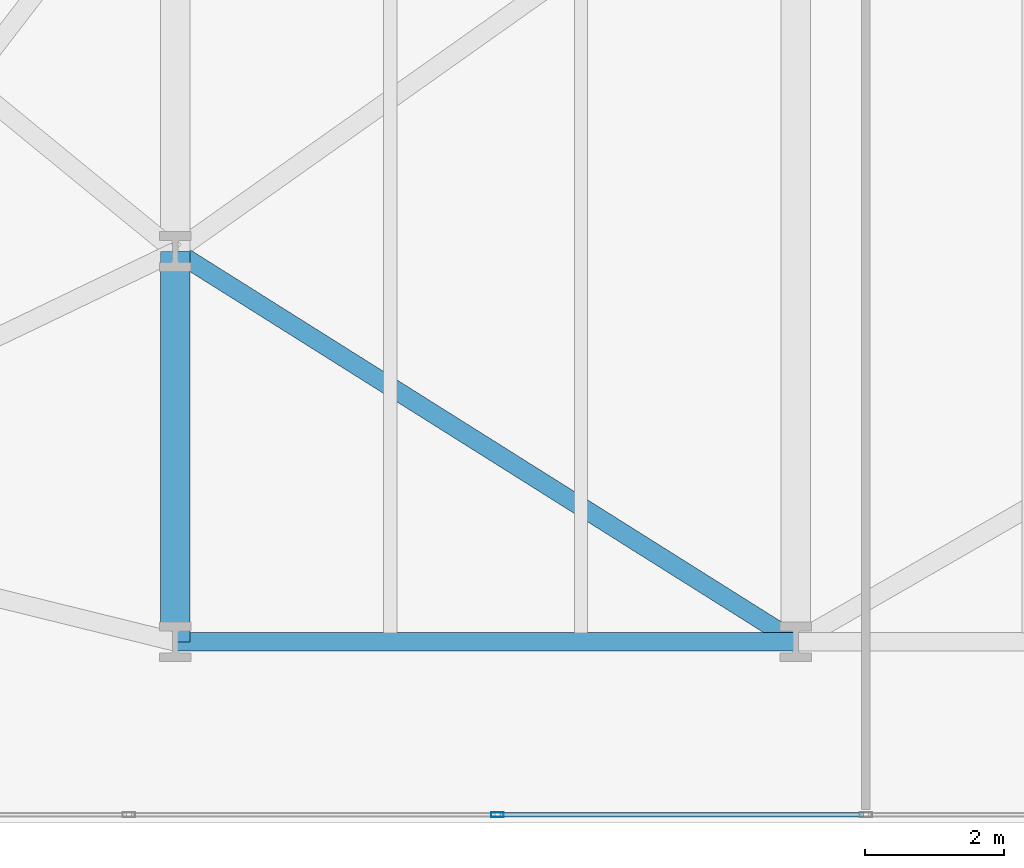
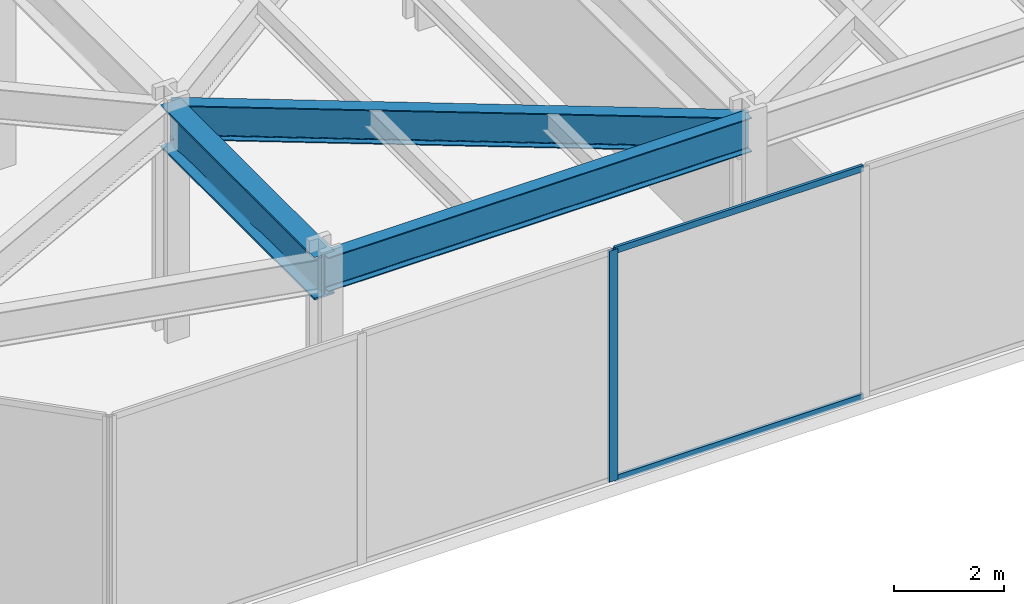
# One storey, part 3 of 29: 3 beams, 3 members, 1 element without a shape of its own.
"""IFC4 building model written with IfcOpenShell, lengths in metres."""

import ifcopenshell
import ifcopenshell.guid

model = None  # the IFC model being written
_history = None  # IfcOwnerHistory: only IFC2X3 demands one
_inside = {}  # id of a spatial element -> (the spatial element, [elements in it])
_under = {}  # id of a project, library or spatial element -> (it, [spatial elements below it])
_declared = {}  # id of a project -> (the project, [libraries it declares])
_typed = {}  # id of a type object -> (the type object, [elements of that type])
_made_of = {}  # id of a material, layer set ... -> (it, [elements and type objects made of it])


def new_model(schema):
    """Start an empty IFC model of exactly this schema.

    Asked for "IFC4X3", IfcOpenShell would pick the latest addendum, in which some entities
    have other attributes; the version numbers below select the first issue.
    IFC2X3 requires an IfcOwnerHistory on every rooted entity: one is made here for all.
    """
    global model, _history
    if schema == "IFC4X3":
        model = ifcopenshell.file(schema_version=(4, 3, 0, 0))
    else:
        model = ifcopenshell.file(schema=schema)
    _inside.clear()
    _under.clear()
    _declared.clear()
    _typed.clear()
    _made_of.clear()
    _history = None
    if model.schema == "IFC2X3":
        org = make("IfcOrganization", Name="unknown")
        user = make(
            "IfcPersonAndOrganization",
            ThePerson=make("IfcPerson", FamilyName="unknown"),
            TheOrganization=org,
        )
        app = make(
            "IfcApplication",
            ApplicationDeveloper=org,
            Version="unknown",
            ApplicationFullName="unknown",
            ApplicationIdentifier="unknown",
        )
        _history = make(
            "IfcOwnerHistory",
            OwningUser=user,
            OwningApplication=app,
            ChangeAction="ADDED",
            CreationDate=0,
        )
    return model


def make(cls, **values):
    """One entity of the class cls with the attributes given. An attribute that is None is left unset."""
    return model.create_entity(
        cls, **{name: value for name, value in values.items() if value is not None}
    )


def rooted(cls, **values):
    """An entity with a GlobalId (a new one), such as an element, a storey or a relation."""
    return make(cls, GlobalId=ifcopenshell.guid.new(), OwnerHistory=_history, **values)


def si_unit(unit_type, name, prefix=None):
    """IfcSIUnit, for example si_unit("LENGTHUNIT", "METRE", prefix="MILLI")."""
    return make("IfcSIUnit", UnitType=unit_type, Prefix=prefix, Name=name)


def assignment(units):
    """IfcUnitAssignment: the units of a project."""
    return None if units is None else make("IfcUnitAssignment", Units=units)


def point(xyz):
    """IfcCartesianPoint."""
    return None if xyz is None else make("IfcCartesianPoint", Coordinates=xyz)


def direction(xyz):
    """IfcDirection."""
    return None if xyz is None else make("IfcDirection", DirectionRatios=xyz)


def frame(location, z_axis=None, x_axis=None):
    """IfcAxis2Placement3D, a coordinate frame: its origin and axes. An axis left out is left unset."""
    return make(
        "IfcAxis2Placement3D",
        Location=point(location),
        Axis=direction(z_axis),
        RefDirection=direction(x_axis),
    )


def frame_2d(location, x_axis=None):
    """IfcAxis2Placement2D, a coordinate frame in the plane: its origin and x axis."""
    return make(
        "IfcAxis2Placement2D", Location=point(location), RefDirection=direction(x_axis)
    )


def origin():
    """The frame at (0, 0, 0) with its axes left unset."""
    return frame((0.0, 0.0, 0.0))


def origin_2d():
    """The frame at (0, 0) in the plane with its x axis left unset."""
    return frame_2d((0.0, 0.0))


def place(relative_to, where):
    """IfcLocalPlacement: puts the frame where relative to a parent placement (None: the world)."""
    return make(
        "IfcLocalPlacement", PlacementRelTo=relative_to, RelativePlacement=where
    )


def context(
    kind, dimensions, precision=None, world=None, true_north=None, identifier=None
):
    """IfcGeometricRepresentationContext, for example the 3D "Model" context."""
    return make(
        "IfcGeometricRepresentationContext",
        ContextIdentifier=identifier,
        ContextType=kind,
        CoordinateSpaceDimension=dimensions,
        Precision=precision,
        WorldCoordinateSystem=world,
        TrueNorth=true_north,
    )


def subcontext(parent, identifier, kind, view, scale=None):
    """IfcGeometricRepresentationSubContext, for example "Body" below "Model"."""
    return make(
        "IfcGeometricRepresentationSubContext",
        ContextIdentifier=identifier,
        ContextType=kind,
        ParentContext=parent,
        TargetScale=scale,
        TargetView=view,
    )


def project(units=None, contexts=None):
    """IfcProject with its units and contexts."""
    return rooted(
        "IfcProject",
        Name="project",
        RepresentationContexts=contexts,
        UnitsInContext=assignment(units),
    )


def spatial(cls, under=None, at=None, **own):
    """A site, building, storey or space (cls), placed at a placement, below another one or the project."""
    s = rooted(cls, ObjectPlacement=at, **own)
    if under is not None:
        _under.setdefault(under.id(), (under, []))[1].append(s)
    return s


def profile(cls, at=None, kind="AREA", **sizes):
    """A parametric profile (cls). Its sizes go by their IFC names, for example OverallWidth=200.0."""
    return make(cls, ProfileType=kind, Position=at, **sizes)


def hollow_rectangle(**sizes):
    """IfcRectangleHollowProfileDef."""
    return profile("IfcRectangleHollowProfileDef", **sizes)


def i_section(**sizes):
    """IfcIShapeProfileDef."""
    return profile("IfcIShapeProfileDef", **sizes)


def extrude(swept, where, along, depth):
    """IfcExtrudedAreaSolid: the profile swept, set in the frame where, extruded along a direction by depth."""
    return make(
        "IfcExtrudedAreaSolid",
        SweptArea=swept,
        Position=where,
        ExtrudedDirection=direction(along),
        Depth=depth,
    )


def shape(context_of_items, identifier, shape_type, items):
    """IfcShapeRepresentation: the items that make up one representation, for example the "Body"."""
    return make(
        "IfcShapeRepresentation",
        ContextOfItems=context_of_items,
        RepresentationIdentifier=identifier,
        RepresentationType=shape_type,
        Items=items,
    )


def material(Name=None, Category=None):
    """IfcMaterial."""
    return make("IfcMaterial", Name=Name, Category=Category)


def layer(
    of_material, thickness, ventilated=None, Name=None, Category=None, Priority=None
):
    """IfcMaterialLayer: one layer of a wall or slab, of a material (None: an air gap)."""
    return make(
        "IfcMaterialLayer",
        Material=of_material,
        LayerThickness=thickness,
        IsVentilated=ventilated,
        Name=Name,
        Category=Category,
        Priority=Priority,
    )


def layer_set(layers, Name=None):
    """IfcMaterialLayerSet."""
    return make("IfcMaterialLayerSet", MaterialLayers=layers, LayerSetName=Name)


def material_profile(
    of_material, cross_section, Name=None, Category=None, Priority=None
):
    """IfcMaterialProfile: a cross section and its material."""
    return make(
        "IfcMaterialProfile",
        Name=Name,
        Material=of_material,
        Profile=cross_section,
        Priority=Priority,
        Category=Category,
    )


def profile_set(profiles, Name=None, composite=None):
    """IfcMaterialProfileSet."""
    return make(
        "IfcMaterialProfileSet",
        Name=Name,
        MaterialProfiles=profiles,
        CompositeProfile=composite,
    )


def made_of(thing, what):
    """Note that an element or type object is made of a material, layer set ...; save() writes the relation."""
    if what is not None:
        _made_of.setdefault(what.id(), (what, []))[1].append(thing)
    return thing


def type_object(cls, material=None, **own):
    """A type object (cls), such as IfcWallType, which elements share."""
    return made_of(rooted(cls, **own), material)


def element(
    cls,
    number,
    at=None,
    inside=None,
    cuts=None,
    type_object=None,
    material=None,
    context=None,
    identifier="Body",
    shape_type=None,
    held_by="IfcProductDefinitionShape",
    body=None,
    shapes=None,
    **own,
):
    """One element of the class cls, such as IfcWall. Its Tag is "e" and its number.

    at: its placement. inside: the storey or other place that contains it. cuts: it is an
    opening in that element (IfcRelVoidsElement). A single representation is given by context,
    identifier, shape_type and body (its items); several are given by shapes. held_by: the class
    of the entity that holds the representations. save() writes the other relations.
    """
    e = rooted(cls, Tag="e%d" % number, ObjectPlacement=at, **own)
    if body is not None:
        shapes = [shape(context, identifier, shape_type, body)]
    if shapes is not None:
        e.Representation = make(held_by, Representations=shapes)
    if inside is not None:
        _inside.setdefault(inside.id(), (inside, []))[1].append(e)
    if cuts is not None:
        rooted(
            "IfcRelVoidsElement", RelatingBuildingElement=cuts, RelatedOpeningElement=e
        )
    if type_object is not None:
        _typed.setdefault(type_object.id(), (type_object, []))[1].append(e)
    return made_of(e, material)


def aggregate(whole, parts):
    """IfcRelAggregates: a whole, such as a stair, and the parts it consists of."""
    return rooted("IfcRelAggregates", RelatingObject=whole, RelatedObjects=parts)


def save(model, path):
    """Write the relations noted so far, then the file.

    IfcRelAggregates (storeys below a building ...), IfcRelContainedInSpatialStructure (elements
    in a storey), IfcRelDefinesByType, IfcRelAssociatesMaterial and IfcRelDeclares: one each for
    every whole, place, type object, material and project.
    """
    for whole, parts in _under.values():
        aggregate(whole, parts)
    for where, things in _inside.values():
        rooted(
            "IfcRelContainedInSpatialStructure",
            RelatedElements=things,
            RelatingStructure=where,
        )
    for kind, things in _typed.values():
        rooted("IfcRelDefinesByType", RelatedObjects=things, RelatingType=kind)
    for what, things in _made_of.values():
        rooted("IfcRelAssociatesMaterial", RelatedObjects=things, RelatingMaterial=what)
    for by, libraries in _declared.values():
        rooted("IfcRelDeclares", RelatingContext=by, RelatedDefinitions=libraries)
    model.write(path)


model = new_model("IFC4")

# Units and contexts
model_context = context("Model", 3, precision=1e-05, world=origin(), true_north=direction((0.0, 1.0)))
body_context = subcontext(model_context, "Body", "Model", "MODEL_VIEW")
ifc_project = project(units=[si_unit("LENGTHUNIT", "METRE"), si_unit("AREAUNIT", "SQUARE_METRE"), si_unit("VOLUMEUNIT", "CUBIC_METRE"), si_unit("PLANEANGLEUNIT", "RADIAN"), si_unit("MASSUNIT", "GRAM", prefix="KILO")], contexts=[model_context])

# Site, building, storey
site_placement = place(None, origin())
site = spatial("IfcSite", under=ifc_project, at=site_placement, CompositionType="ELEMENT")
building_placement = place(site_placement, origin())
building = spatial("IfcBuilding", under=site, at=building_placement, Name="Kravanh Interchange Tower", CompositionType="ELEMENT")
storey_placement = place(building_placement, frame((0.0, 0.0, 5.39990234375)))
storey = spatial("IfcBuildingStorey", under=building, at=storey_placement, Name="L01", CompositionType="ELEMENT", Elevation=5.39990234375)

# Curtain wall, members
ifc_material_1 = material(Name="Anodised Bronze Aluminium", Category="aluminium")
ifc_layer = layer(ifc_material_1, 0.179931640625)
ifc_layer_set = layer_set([ifc_layer], Name="Unitised Curtain Wall System CW-POD Podium Concourse")
curtain_wall_type = type_object("IfcCurtainWallType", Name="Unitised Curtain Wall System CW-POD Podium Concourse", PredefinedType="NOTDEFINED", material=ifc_layer_set)
curtain_wall_placement = place(storey_placement, origin())
curtain_wall = element("IfcCurtainWall", 1, at=curtain_wall_placement, inside=storey, type_object=curtain_wall_type, Name="L01 Unitised Curtain Wall CW-L01-04", PredefinedType="NOTDEFINED")
ifc_material_2 = material(Name="Anodised Bronze Aluminium", Category="aluminium")
ifc_material_profile_1 = material_profile(ifc_material_2, hollow_rectangle(XDim=0.070068359375, YDim=0.179931640625, WallThickness=0.00390625, at=origin_2d()), Name="ALU70X180X4")
ifc_profile_set_1 = profile_set([ifc_material_profile_1], Name="Anodised Bronze Aluminium")
member_type_1 = type_object("IfcMemberType", Name="Curtain Wall Mullion ALU70X180X4 Bronze", PredefinedType="MULLION", material=ifc_profile_set_1)
member_1_placement = place(storey_placement, frame((13.218994140625, 0.1201171875, 0.0), z_axis=(0.0, 0.0, 1.0), x_axis=(0.0, -1.0, 0.0)))
member_1 = element("IfcMember", 2, at=member_1_placement, type_object=member_type_1, Name="CW-POD mullion 12", PredefinedType="MULLION", context=body_context, shape_type="SweptSolid", body=[
    extrude(hollow_rectangle(XDim=0.070068359375, YDim=0.179931640625, WallThickness=0.00390625, at=origin_2d()), origin(), (0.0, 0.0, 1.0), 5.130126953125),
])
ifc_material_3 = material(Name="Anodised Bronze Aluminium", Category="aluminium")
ifc_material_profile_2 = material_profile(ifc_material_3, hollow_rectangle(XDim=0.06005859375, YDim=0.139892578125, WallThickness=0.00390625, at=origin_2d()), Name="ALU60X140X4")
ifc_profile_set_2 = profile_set([ifc_material_profile_2], Name="Anodised Bronze Aluminium")
member_type_2 = type_object("IfcMemberType", Name="Curtain Wall Transom ALU60X140X4 Bronze", PredefinedType="USERDEFINED", material=ifc_profile_set_2)
member_2_placement = place(storey_placement, frame((18.46875, 0.1201171875, 0.030029296875), z_axis=(-1.0, 0.0, 0.0), x_axis=(0.0, -1.0, 0.0)))
member_2 = element("IfcMember", 3, at=member_2_placement, type_object=member_type_2, Name="CW-POD transom 11.1", ObjectType="TRANSOM", PredefinedType="USERDEFINED", context=body_context, shape_type="SweptSolid", body=[
    extrude(hollow_rectangle(XDim=0.06005859375, YDim=0.139892578125, WallThickness=0.00390625, at=origin_2d()), origin(), (0.0, 0.0, 1.0), 5.21484375),
])
member_3_placement = place(storey_placement, frame((18.46875, 0.1201171875, 5.10009765625), z_axis=(-1.0, 0.0, 0.0), x_axis=(0.0, -1.0, 0.0)))
member_3 = element("IfcMember", 4, at=member_3_placement, type_object=member_type_2, Name="CW-POD transom 11.2", ObjectType="TRANSOM", PredefinedType="USERDEFINED", context=body_context, shape_type="SweptSolid", body=[
    extrude(hollow_rectangle(XDim=0.06005859375, YDim=0.139892578125, WallThickness=0.00390625, at=origin_2d()), origin(), (0.0, 0.0, 1.0), 5.21484375),
])
aggregate(curtain_wall, [member_1, member_2, member_3])

# Beams
ifc_material_4 = material(Name="Structural Steel S450", Category="steel")
ifc_material_profile_3 = material_profile(ifc_material_4, i_section(OverallWidth=0.423095703125, OverallDepth=0.947998046875, WebThickness=0.02392578125, FlangeThickness=0.042724609375, FilletRadius=0.028076171875, at=origin_2d()), Name="W36X302")
ifc_profile_set_3 = profile_set([ifc_material_profile_3], Name="Structural Steel S450")
beam_type_1 = type_object("IfcBeamType", Name="Floor Beam W36X302 Structural Steel S450", PredefinedType="BEAM", material=ifc_profile_set_3)
beam_1_placement = place(storey_placement, frame((8.60009765625, 2.60009765625, 4.656005859375), z_axis=(0.0, 1.0, 0.0), x_axis=(-1.0, 0.0, 0.0)))
element("IfcBeam", 5, at=beam_1_placement, inside=storey, type_object=beam_type_1, Name="L01 Primary Floor Girder 1", PredefinedType="BEAM", context=body_context, shape_type="SweptSolid", body=[
    extrude(i_section(OverallWidth=0.423095703125, OverallDepth=0.947998046875, WebThickness=0.02392578125, FlangeThickness=0.042724609375, FilletRadius=0.028076171875, at=origin_2d()), origin(), (0.0, 0.0, 1.0), 5.599853515625),
])
ifc_material_5 = material(Name="Structural Steel S355", Category="steel")
ifc_material_profile_4 = material_profile(ifc_material_5, i_section(OverallWidth=0.26708984375, OverallDepth=0.761962890625, WebThickness=0.014404296875, FlangeThickness=0.021484375, FilletRadius=0.02490234375, at=origin_2d()), Name="W30X116")
ifc_profile_set_4 = profile_set([ifc_material_profile_4], Name="Structural Steel S355")
beam_type_2 = type_object("IfcBeamType", Name="Floor Spandrel W30X116 Structural Steel S355", PredefinedType="SPANDREL", material=ifc_profile_set_4)
beam_2_placement = place(storey_placement, frame((8.60009765625, 2.60009765625, 4.7490234375), z_axis=(1.0, 0.0, 0.0), x_axis=(0.0, 1.0, 0.0)))
element("IfcBeam", 6, at=beam_2_placement, inside=storey, type_object=beam_type_2, Name="L01 Perimeter Spandrel 3", PredefinedType="SPANDREL", context=body_context, shape_type="SweptSolid", body=[
    extrude(i_section(OverallWidth=0.26708984375, OverallDepth=0.761962890625, WebThickness=0.014404296875, FlangeThickness=0.021484375, FilletRadius=0.02490234375, at=origin_2d()), origin(), (0.0, 0.0, 1.0), 8.89990234375),
])
beam_3_placement = place(storey_placement, frame((17.5, 2.60009765625, 4.7490234375), z_axis=(-0.846395259538, 0.532555222143, 0.0), x_axis=(-0.532555222143, -0.846395259538, 0.0)))
element("IfcBeam", 7, at=beam_3_placement, inside=storey, type_object=beam_type_2, Name="L01 Perimeter Spandrel 5", PredefinedType="SPANDREL", context=body_context, shape_type="SweptSolid", body=[
    extrude(i_section(OverallWidth=0.26708984375, OverallDepth=0.761962890625, WebThickness=0.014404296875, FlangeThickness=0.021484375, FilletRadius=0.02490234375, at=origin_2d()), origin(), (0.0, 0.0, 1.0), 10.51513671875),
])

save(model, "model.ifc")
